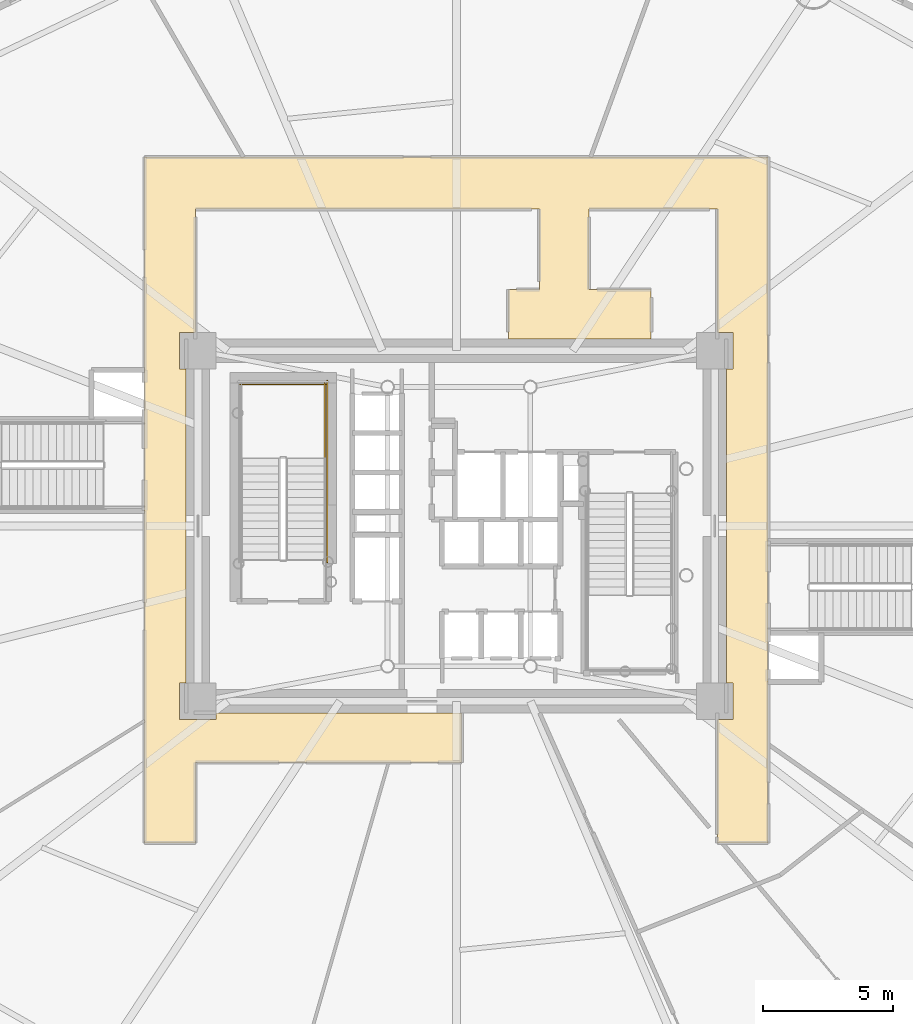
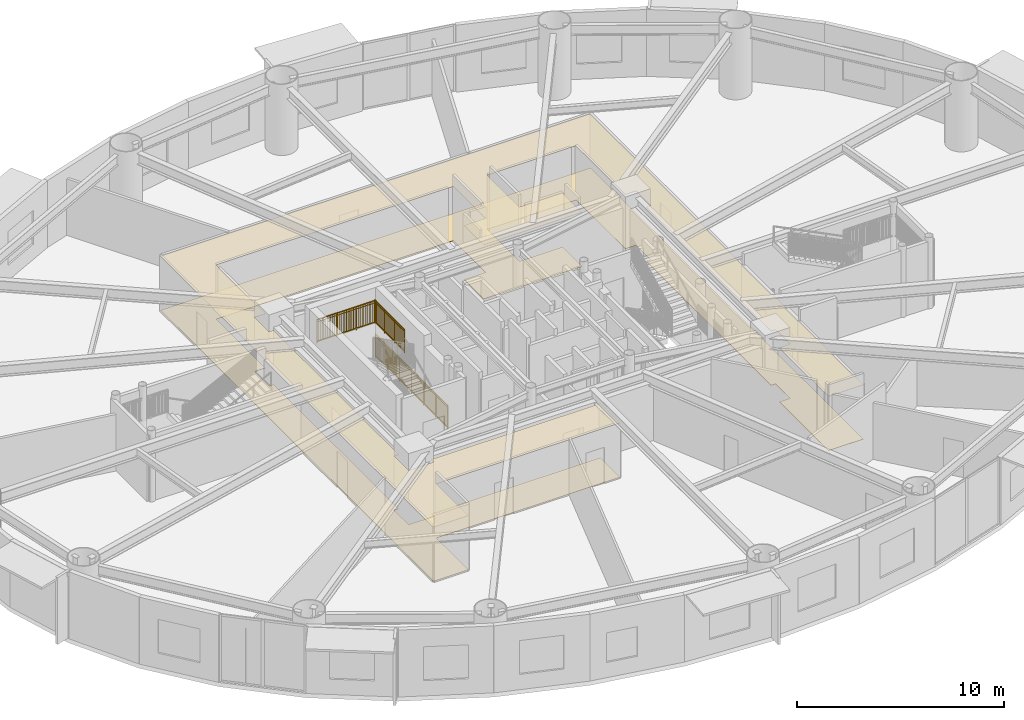
# One storey, part 22 of 28: 3 railings, 2 coverings.
"""IFC4 building model written with IfcOpenShell, lengths in metres."""

from ifc_helpers import new_model, si_unit, direction, frame, origin, origin_2d, place, context, subcontext, project, spatial, polyline, rectangle, outline, extrude, source, transform, mapped, material, layer, layer_set, type_object, element, save


model = new_model("IFC4")

# Units and contexts
model_context = context("Model", 3, precision=1e-05, world=origin(), true_north=direction((0.0, 1.0)))
body_context = subcontext(model_context, "Body", "Model", "MODEL_VIEW")
ifc_project = project(units=[si_unit("LENGTHUNIT", "METRE"), si_unit("AREAUNIT", "SQUARE_METRE"), si_unit("VOLUMEUNIT", "CUBIC_METRE"), si_unit("PLANEANGLEUNIT", "RADIAN"), si_unit("MASSUNIT", "GRAM", prefix="KILO")], contexts=[model_context])

# Site, building, storey
site_placement = place(None, origin())
site = spatial("IfcSite", under=ifc_project, at=site_placement, CompositionType="ELEMENT")
building_placement = place(site_placement, origin())
building = spatial("IfcBuilding", under=site, at=building_placement, Name="Linh Dai School and Residence Tower", CompositionType="ELEMENT")
storey_placement = place(building_placement, frame((0.0, 0.0, 36.60009765625)))
storey = spatial("IfcBuildingStorey", under=building, at=storey_placement, Name="L08", CompositionType="ELEMENT", Elevation=36.60009765625)

# Coverings
ifc_material_1 = material(Name="Mineral Fibre Acoustic Suspended Ceiling", Category="masonry")
ifc_layer_1 = layer(ifc_material_1, 0.02001953125)
ifc_layer_set_1 = layer_set([ifc_layer_1], Name="Mineral Fibre Acoustic Suspended Ceiling")
covering_type_1 = type_object("IfcCoveringType", Name="COV-CEIL-AC-20", PredefinedType="CEILING", material=ifc_layer_set_1)
covering_1_placement = place(storey_placement, frame((0.0, 0.0, 3.199951171875)))
element("IfcCovering", 1, at=covering_1_placement, inside=storey, type_object=covering_type_1, Name="L08 School Circulation Ring Corridor Suspended Ceiling", PredefinedType="CEILING", context=body_context, shape_type="SweptSolid", body=[
    extrude(outline(polyline([(24.0, 41.199951171875), (48.0, 41.199951171875), (48.0, 14.800048828125), (46.050048828125, 14.800048828125), (46.050048828125, 19.550048828125), (46.64990234375, 19.550048828125), (46.64990234375, 20.949951171875), (46.39990234375, 20.949951171875), (46.39990234375, 33.050048828125), (46.64990234375, 33.050048828125), (46.64990234375, 34.449951171875), (46.050048828125, 34.449951171875), (46.050048828125, 39.199951171875), (41.10009765625, 39.199951171875), (41.10009765625, 36.10009765625), (43.5, 36.10009765625), (43.5, 34.199951171875), (38.0, 34.199951171875), (38.0, 36.10009765625), (39.199951171875, 36.10009765625), (39.199951171875, 39.199951171875), (25.949951171875, 39.199951171875), (25.949951171875, 34.449951171875), (25.35009765625, 34.449951171875), (25.35009765625, 33.050048828125), (25.60009765625, 33.050048828125), (25.60009765625, 20.949951171875), (25.35009765625, 20.949951171875), (25.35009765625, 19.550048828125), (26.75, 19.550048828125), (26.75, 19.800048828125), (36.199951171875, 19.800048828125), (36.199951171875, 17.89990234375), (25.949951171875, 17.89990234375), (25.949951171875, 14.800048828125), (24.0, 14.800048828125), (24.0, 41.199951171875)])), origin(), (0.0, 0.0, 1.0), 0.02001953125),
])
ifc_material_2 = material(Name="Polished Terrazzo Floor Finish", Category="masonry")
ifc_layer_2 = layer(ifc_material_2, 0.02490234375)
ifc_layer_set_2 = layer_set([ifc_layer_2], Name="Polished Terrazzo Floor Finish")
covering_type_2 = type_object("IfcCoveringType", Name="COV-FLR-TRZ-25", PredefinedType="FLOORING", material=ifc_layer_set_2)
covering_2_placement = place(storey_placement, origin())
element("IfcCovering", 2, at=covering_2_placement, inside=storey, type_object=covering_type_2, Name="L08 School Circulation Ring Corridor Floor Finish", PredefinedType="FLOORING", context=body_context, shape_type="SweptSolid", body=[
    extrude(outline(polyline([(24.0, 41.199951171875), (48.0, 41.199951171875), (48.0, 14.800048828125), (46.050048828125, 14.800048828125), (46.050048828125, 19.550048828125), (46.64990234375, 19.550048828125), (46.64990234375, 20.949951171875), (46.39990234375, 20.949951171875), (46.39990234375, 33.050048828125), (46.64990234375, 33.050048828125), (46.64990234375, 34.449951171875), (46.050048828125, 34.449951171875), (46.050048828125, 39.199951171875), (41.10009765625, 39.199951171875), (41.10009765625, 36.10009765625), (43.5, 36.10009765625), (43.5, 34.199951171875), (38.0, 34.199951171875), (38.0, 36.10009765625), (39.199951171875, 36.10009765625), (39.199951171875, 39.199951171875), (25.949951171875, 39.199951171875), (25.949951171875, 34.449951171875), (25.35009765625, 34.449951171875), (25.35009765625, 33.050048828125), (25.60009765625, 33.050048828125), (25.60009765625, 20.949951171875), (25.35009765625, 20.949951171875), (25.35009765625, 19.550048828125), (26.75, 19.550048828125), (26.75, 19.800048828125), (36.199951171875, 19.800048828125), (36.199951171875, 17.89990234375), (25.949951171875, 17.89990234375), (25.949951171875, 14.800048828125), (24.0, 14.800048828125), (24.0, 41.199951171875)])), origin(), (0.0, 0.0, 1.0), 0.02001953125),
])

# Railings
ifc_material_3 = material(Name="Structural Steel S355JR", Category="steel")
railing_type = type_object("IfcRailingType", Name="RL-ST-GUARD-1400", PredefinedType="GUARDRAIL", material=ifc_material_3)
shared_shape_1 = source(origin(), body_context, "Body", "SweptSolid", [
    extrude(rectangle(XDim=0.048095703125, YDim=0.048095703125, at=origin_2d()), frame((0.0, 0.0, 1.3759765625), z_axis=(-1.0, 0.0, 0.0), x_axis=(0.0, -1.0, 0.0)), (0.0, 0.0, 1.0), 3.300048828125),
    extrude(rectangle(XDim=0.048095703125, YDim=0.048095703125, at=origin_2d()), frame((0.0, 0.0, 0.10009765625), z_axis=(-1.0, 0.0, 0.0), x_axis=(0.0, -1.0, 0.0)), (0.0, 0.0, 1.0), 3.300048828125),
    extrude(rectangle(XDim=0.030029296875, YDim=0.030029296875, at=origin_2d()), frame((0.0, 0.0, 1.239990234375), z_axis=(-1.0, 0.0, 0.0), x_axis=(0.0, -1.0, 0.0)), (0.0, 0.0, 1.0), 3.300048828125),
    extrude(rectangle(XDim=0.02001953125, YDim=0.02001953125, at=origin_2d()), frame((-0.09716796875, 0.0, 0.10009765625)), (0.0, 0.0, 1.0), 1.251708984375),
    extrude(rectangle(XDim=0.02001953125, YDim=0.02001953125, at=origin_2d()), frame((-0.194091796875, 0.0, 0.10009765625)), (0.0, 0.0, 1.0), 1.251708984375),
    extrude(rectangle(XDim=0.02001953125, YDim=0.02001953125, at=origin_2d()), frame((-0.291259765625, 0.0, 0.10009765625)), (0.0, 0.0, 1.0), 1.251708984375),
    extrude(rectangle(XDim=0.02001953125, YDim=0.02001953125, at=origin_2d()), frame((-0.38818359375, 0.0, 0.10009765625)), (0.0, 0.0, 1.0), 1.251708984375),
    extrude(rectangle(XDim=0.02001953125, YDim=0.02001953125, at=origin_2d()), frame((-0.4853515625, 0.0, 0.10009765625)), (0.0, 0.0, 1.0), 1.251708984375),
    extrude(rectangle(XDim=0.02001953125, YDim=0.02001953125, at=origin_2d()), frame((-0.582275390625, 0.0, 0.10009765625)), (0.0, 0.0, 1.0), 1.251708984375),
    extrude(rectangle(XDim=0.02001953125, YDim=0.02001953125, at=origin_2d()), frame((-0.679443359375, 0.0, 0.10009765625)), (0.0, 0.0, 1.0), 1.251708984375),
    extrude(rectangle(XDim=0.02001953125, YDim=0.02001953125, at=origin_2d()), frame((-0.7763671875, 0.0, 0.10009765625)), (0.0, 0.0, 1.0), 1.251708984375),
    extrude(rectangle(XDim=0.02001953125, YDim=0.02001953125, at=origin_2d()), frame((-0.87353515625, 0.0, 0.10009765625)), (0.0, 0.0, 1.0), 1.251708984375),
    extrude(rectangle(XDim=0.02001953125, YDim=0.02001953125, at=origin_2d()), frame((-0.970703125, 0.0, 0.10009765625)), (0.0, 0.0, 1.0), 1.251708984375),
    extrude(rectangle(XDim=0.02001953125, YDim=0.02001953125, at=origin_2d()), frame((-1.164794921875, 0.0, 0.10009765625)), (0.0, 0.0, 1.0), 1.251708984375),
    extrude(rectangle(XDim=0.02001953125, YDim=0.02001953125, at=origin_2d()), frame((-1.26171875, 0.0, 0.10009765625)), (0.0, 0.0, 1.0), 1.251708984375),
    extrude(rectangle(XDim=0.02001953125, YDim=0.02001953125, at=origin_2d()), frame((-1.35888671875, 0.0, 0.10009765625)), (0.0, 0.0, 1.0), 1.251708984375),
    extrude(rectangle(XDim=0.02001953125, YDim=0.02001953125, at=origin_2d()), frame((-1.455810546875, 0.0, 0.10009765625)), (0.0, 0.0, 1.0), 1.251708984375),
    extrude(rectangle(XDim=0.02001953125, YDim=0.02001953125, at=origin_2d()), frame((-1.552978515625, 0.0, 0.10009765625)), (0.0, 0.0, 1.0), 1.251708984375),
    extrude(rectangle(XDim=0.02001953125, YDim=0.02001953125, at=origin_2d()), frame((-1.64990234375, 0.0, 0.10009765625)), (0.0, 0.0, 1.0), 1.251708984375),
    extrude(rectangle(XDim=0.02001953125, YDim=0.02001953125, at=origin_2d()), frame((-1.7470703125, 0.0, 0.10009765625)), (0.0, 0.0, 1.0), 1.251708984375),
    extrude(rectangle(XDim=0.02001953125, YDim=0.02001953125, at=origin_2d()), frame((-1.84423828125, 0.0, 0.10009765625)), (0.0, 0.0, 1.0), 1.251708984375),
    extrude(rectangle(XDim=0.02001953125, YDim=0.02001953125, at=origin_2d()), frame((-1.941162109375, 0.0, 0.10009765625)), (0.0, 0.0, 1.0), 1.251708984375),
    extrude(rectangle(XDim=0.02001953125, YDim=0.02001953125, at=origin_2d()), frame((-2.038330078125, 0.0, 0.10009765625)), (0.0, 0.0, 1.0), 1.251708984375),
    extrude(rectangle(XDim=0.02001953125, YDim=0.02001953125, at=origin_2d()), frame((-2.13525390625, 0.0, 0.10009765625)), (0.0, 0.0, 1.0), 1.251708984375),
    extrude(rectangle(XDim=0.02001953125, YDim=0.02001953125, at=origin_2d()), frame((-2.329345703125, 0.0, 0.10009765625)), (0.0, 0.0, 1.0), 1.251708984375),
    extrude(rectangle(XDim=0.02001953125, YDim=0.02001953125, at=origin_2d()), frame((-2.426513671875, 0.0, 0.10009765625)), (0.0, 0.0, 1.0), 1.251708984375),
    extrude(rectangle(XDim=0.02001953125, YDim=0.02001953125, at=origin_2d()), frame((-2.523681640625, 0.0, 0.10009765625)), (0.0, 0.0, 1.0), 1.251708984375),
    extrude(rectangle(XDim=0.02001953125, YDim=0.02001953125, at=origin_2d()), frame((-2.62060546875, 0.0, 0.10009765625)), (0.0, 0.0, 1.0), 1.251708984375),
    extrude(rectangle(XDim=0.02001953125, YDim=0.02001953125, at=origin_2d()), frame((-2.7177734375, 0.0, 0.10009765625)), (0.0, 0.0, 1.0), 1.251708984375),
    extrude(rectangle(XDim=0.02001953125, YDim=0.02001953125, at=origin_2d()), frame((-2.814697265625, 0.0, 0.10009765625)), (0.0, 0.0, 1.0), 1.251708984375),
    extrude(rectangle(XDim=0.02001953125, YDim=0.02001953125, at=origin_2d()), frame((-2.911865234375, 0.0, 0.10009765625)), (0.0, 0.0, 1.0), 1.251708984375),
    extrude(rectangle(XDim=0.02001953125, YDim=0.02001953125, at=origin_2d()), frame((-3.0087890625, 0.0, 0.10009765625)), (0.0, 0.0, 1.0), 1.251708984375),
    extrude(rectangle(XDim=0.02001953125, YDim=0.02001953125, at=origin_2d()), frame((-3.10595703125, 0.0, 0.10009765625)), (0.0, 0.0, 1.0), 1.251708984375),
    extrude(rectangle(XDim=0.02001953125, YDim=0.02001953125, at=origin_2d()), frame((-3.202880859375, 0.0, 0.10009765625)), (0.0, 0.0, 1.0), 1.251708984375),
    extrude(rectangle(XDim=0.0419921875, YDim=0.0419921875, at=origin_2d()), origin(), (0.0, 0.0, 1.0), 1.3759765625),
    extrude(rectangle(XDim=0.0419921875, YDim=0.0419921875, at=origin_2d()), frame((-1.10009765625, 0.0, 0.0)), (0.0, 0.0, 1.0), 1.3759765625),
    extrude(rectangle(XDim=0.0419921875, YDim=0.0419921875, at=origin_2d()), frame((-2.199951171875, 0.0, 0.0)), (0.0, 0.0, 1.0), 1.3759765625),
    extrude(rectangle(XDim=0.0419921875, YDim=0.0419921875, at=origin_2d()), frame((-3.300048828125, 0.0, 0.0)), (0.0, 0.0, 1.0), 1.3759765625),
])
railing_1_placement = place(storey_placement, frame((30.97998046875, 32.449951171875, 2.099853515625)))
element("IfcRailing", 3, at=railing_1_placement, inside=storey, type_object=railing_type, Name="L08 ST1 stair guard 5", PredefinedType="GUARDRAIL", context=body_context, shape_type="MappedRepresentation", body=[
    mapped(shared_shape_1, transform((0.0, 0.0, 0.0), x_axis=(1.0, 0.0, 0.0), y_axis=(0.0, 1.0, 0.0), z_axis=(0.0, 0.0, 1.0), scale=1.0)),
])
shared_shape_2 = source(origin(), body_context, "Body", "SweptSolid", [
    extrude(rectangle(XDim=0.048095703125, YDim=0.048095703125, at=origin_2d()), frame((0.0, 0.0, 1.3759765625), z_axis=(0.0, 1.0, 0.0), x_axis=(-1.0, 0.0, 0.0)), (0.0, 0.0, 1.0), 7.0),
    extrude(rectangle(XDim=0.048095703125, YDim=0.048095703125, at=origin_2d()), frame((0.0, 0.0, 0.10009765625), z_axis=(0.0, 1.0, 0.0), x_axis=(-1.0, 0.0, 0.0)), (0.0, 0.0, 1.0), 7.0),
    extrude(rectangle(XDim=0.030029296875, YDim=0.030029296875, at=origin_2d()), frame((0.0, 0.0, 1.239990234375), z_axis=(0.0, 1.0, 0.0), x_axis=(-1.0, 0.0, 0.0)), (0.0, 0.0, 1.0), 7.0),
    extrude(rectangle(XDim=0.02001953125, YDim=0.02001953125, at=origin_2d()), frame((0.0, 0.09716796875, 0.10009765625)), (0.0, 0.0, 1.0), 1.251708984375),
    extrude(rectangle(XDim=0.02001953125, YDim=0.02001953125, at=origin_2d()), frame((0.0, 0.1943359375, 0.10009765625)), (0.0, 0.0, 1.0), 1.251708984375),
    extrude(rectangle(XDim=0.02001953125, YDim=0.02001953125, at=origin_2d()), frame((0.0, 0.291748046875, 0.10009765625)), (0.0, 0.0, 1.0), 1.251708984375),
    extrude(rectangle(XDim=0.02001953125, YDim=0.02001953125, at=origin_2d()), frame((0.0, 0.388916015625, 0.10009765625)), (0.0, 0.0, 1.0), 1.251708984375),
    extrude(rectangle(XDim=0.02001953125, YDim=0.02001953125, at=origin_2d()), frame((0.0, 0.486083984375, 0.10009765625)), (0.0, 0.0, 1.0), 1.251708984375),
    extrude(rectangle(XDim=0.02001953125, YDim=0.02001953125, at=origin_2d()), frame((0.0, 0.583251953125, 0.10009765625)), (0.0, 0.0, 1.0), 1.251708984375),
    extrude(rectangle(XDim=0.02001953125, YDim=0.02001953125, at=origin_2d()), frame((0.0, 0.6806640625, 0.10009765625)), (0.0, 0.0, 1.0), 1.251708984375),
    extrude(rectangle(XDim=0.02001953125, YDim=0.02001953125, at=origin_2d()), frame((0.0, 0.77783203125, 0.10009765625)), (0.0, 0.0, 1.0), 1.251708984375),
    extrude(rectangle(XDim=0.02001953125, YDim=0.02001953125, at=origin_2d()), frame((0.0, 0.875, 0.10009765625)), (0.0, 0.0, 1.0), 1.251708984375),
    extrude(rectangle(XDim=0.02001953125, YDim=0.02001953125, at=origin_2d()), frame((0.0, 0.97216796875, 0.10009765625)), (0.0, 0.0, 1.0), 1.251708984375),
    extrude(rectangle(XDim=0.02001953125, YDim=0.02001953125, at=origin_2d()), frame((0.0, 1.0693359375, 0.10009765625)), (0.0, 0.0, 1.0), 1.251708984375),
    extrude(rectangle(XDim=0.02001953125, YDim=0.02001953125, at=origin_2d()), frame((0.0, 1.263916015625, 0.10009765625)), (0.0, 0.0, 1.0), 1.251708984375),
    extrude(rectangle(XDim=0.02001953125, YDim=0.02001953125, at=origin_2d()), frame((0.0, 1.361083984375, 0.10009765625)), (0.0, 0.0, 1.0), 1.251708984375),
    extrude(rectangle(XDim=0.02001953125, YDim=0.02001953125, at=origin_2d()), frame((0.0, 1.458251953125, 0.10009765625)), (0.0, 0.0, 1.0), 1.251708984375),
    extrude(rectangle(XDim=0.02001953125, YDim=0.02001953125, at=origin_2d()), frame((0.0, 1.5556640625, 0.10009765625)), (0.0, 0.0, 1.0), 1.251708984375),
    extrude(rectangle(XDim=0.02001953125, YDim=0.02001953125, at=origin_2d()), frame((0.0, 1.65283203125, 0.10009765625)), (0.0, 0.0, 1.0), 1.251708984375),
    extrude(rectangle(XDim=0.02001953125, YDim=0.02001953125, at=origin_2d()), frame((0.0, 1.75, 0.10009765625)), (0.0, 0.0, 1.0), 1.251708984375),
    extrude(rectangle(XDim=0.02001953125, YDim=0.02001953125, at=origin_2d()), frame((0.0, 1.84716796875, 0.10009765625)), (0.0, 0.0, 1.0), 1.251708984375),
    extrude(rectangle(XDim=0.02001953125, YDim=0.02001953125, at=origin_2d()), frame((0.0, 1.9443359375, 0.10009765625)), (0.0, 0.0, 1.0), 1.251708984375),
    extrude(rectangle(XDim=0.02001953125, YDim=0.02001953125, at=origin_2d()), frame((0.0, 2.041748046875, 0.10009765625)), (0.0, 0.0, 1.0), 1.251708984375),
    extrude(rectangle(XDim=0.02001953125, YDim=0.02001953125, at=origin_2d()), frame((0.0, 2.138916015625, 0.10009765625)), (0.0, 0.0, 1.0), 1.251708984375),
    extrude(rectangle(XDim=0.02001953125, YDim=0.02001953125, at=origin_2d()), frame((0.0, 2.236083984375, 0.10009765625)), (0.0, 0.0, 1.0), 1.251708984375),
    extrude(rectangle(XDim=0.02001953125, YDim=0.02001953125, at=origin_2d()), frame((0.0, 2.4306640625, 0.10009765625)), (0.0, 0.0, 1.0), 1.251708984375),
    extrude(rectangle(XDim=0.02001953125, YDim=0.02001953125, at=origin_2d()), frame((0.0, 2.52783203125, 0.10009765625)), (0.0, 0.0, 1.0), 1.251708984375),
    extrude(rectangle(XDim=0.02001953125, YDim=0.02001953125, at=origin_2d()), frame((0.0, 2.625, 0.10009765625)), (0.0, 0.0, 1.0), 1.251708984375),
    extrude(rectangle(XDim=0.02001953125, YDim=0.02001953125, at=origin_2d()), frame((0.0, 2.72216796875, 0.10009765625)), (0.0, 0.0, 1.0), 1.251708984375),
    extrude(rectangle(XDim=0.02001953125, YDim=0.02001953125, at=origin_2d()), frame((0.0, 2.8193359375, 0.10009765625)), (0.0, 0.0, 1.0), 1.251708984375),
    extrude(rectangle(XDim=0.02001953125, YDim=0.02001953125, at=origin_2d()), frame((0.0, 2.916748046875, 0.10009765625)), (0.0, 0.0, 1.0), 1.251708984375),
    extrude(rectangle(XDim=0.02001953125, YDim=0.02001953125, at=origin_2d()), frame((0.0, 3.013916015625, 0.10009765625)), (0.0, 0.0, 1.0), 1.251708984375),
    extrude(rectangle(XDim=0.02001953125, YDim=0.02001953125, at=origin_2d()), frame((0.0, 3.111083984375, 0.10009765625)), (0.0, 0.0, 1.0), 1.251708984375),
    extrude(rectangle(XDim=0.02001953125, YDim=0.02001953125, at=origin_2d()), frame((0.0, 3.208251953125, 0.10009765625)), (0.0, 0.0, 1.0), 1.251708984375),
    extrude(rectangle(XDim=0.02001953125, YDim=0.02001953125, at=origin_2d()), frame((0.0, 3.3056640625, 0.10009765625)), (0.0, 0.0, 1.0), 1.251708984375),
    extrude(rectangle(XDim=0.02001953125, YDim=0.02001953125, at=origin_2d()), frame((0.0, 3.40283203125, 0.10009765625)), (0.0, 0.0, 1.0), 1.251708984375),
    extrude(rectangle(XDim=0.02001953125, YDim=0.02001953125, at=origin_2d()), frame((0.0, 3.59716796875, 0.10009765625)), (0.0, 0.0, 1.0), 1.251708984375),
    extrude(rectangle(XDim=0.02001953125, YDim=0.02001953125, at=origin_2d()), frame((0.0, 3.6943359375, 0.10009765625)), (0.0, 0.0, 1.0), 1.251708984375),
    extrude(rectangle(XDim=0.02001953125, YDim=0.02001953125, at=origin_2d()), frame((0.0, 3.791748046875, 0.10009765625)), (0.0, 0.0, 1.0), 1.251708984375),
    extrude(rectangle(XDim=0.02001953125, YDim=0.02001953125, at=origin_2d()), frame((0.0, 3.888916015625, 0.10009765625)), (0.0, 0.0, 1.0), 1.251708984375),
    extrude(rectangle(XDim=0.02001953125, YDim=0.02001953125, at=origin_2d()), frame((0.0, 3.986083984375, 0.10009765625)), (0.0, 0.0, 1.0), 1.251708984375),
    extrude(rectangle(XDim=0.02001953125, YDim=0.02001953125, at=origin_2d()), frame((0.0, 4.083251953125, 0.10009765625)), (0.0, 0.0, 1.0), 1.251708984375),
    extrude(rectangle(XDim=0.02001953125, YDim=0.02001953125, at=origin_2d()), frame((0.0, 4.1806640625, 0.10009765625)), (0.0, 0.0, 1.0), 1.251708984375),
    extrude(rectangle(XDim=0.02001953125, YDim=0.02001953125, at=origin_2d()), frame((0.0, 4.27783203125, 0.10009765625)), (0.0, 0.0, 1.0), 1.251708984375),
    extrude(rectangle(XDim=0.02001953125, YDim=0.02001953125, at=origin_2d()), frame((0.0, 4.375, 0.10009765625)), (0.0, 0.0, 1.0), 1.251708984375),
    extrude(rectangle(XDim=0.02001953125, YDim=0.02001953125, at=origin_2d()), frame((0.0, 4.47216796875, 0.10009765625)), (0.0, 0.0, 1.0), 1.251708984375),
    extrude(rectangle(XDim=0.02001953125, YDim=0.02001953125, at=origin_2d()), frame((0.0, 4.5693359375, 0.10009765625)), (0.0, 0.0, 1.0), 1.251708984375),
    extrude(rectangle(XDim=0.02001953125, YDim=0.02001953125, at=origin_2d()), frame((0.0, 4.763916015625, 0.10009765625)), (0.0, 0.0, 1.0), 1.251708984375),
    extrude(rectangle(XDim=0.02001953125, YDim=0.02001953125, at=origin_2d()), frame((0.0, 4.861083984375, 0.10009765625)), (0.0, 0.0, 1.0), 1.251708984375),
    extrude(rectangle(XDim=0.02001953125, YDim=0.02001953125, at=origin_2d()), frame((0.0, 4.958251953125, 0.10009765625)), (0.0, 0.0, 1.0), 1.251708984375),
    extrude(rectangle(XDim=0.02001953125, YDim=0.02001953125, at=origin_2d()), frame((0.0, 5.0556640625, 0.10009765625)), (0.0, 0.0, 1.0), 1.251708984375),
    extrude(rectangle(XDim=0.02001953125, YDim=0.02001953125, at=origin_2d()), frame((0.0, 5.15283203125, 0.10009765625)), (0.0, 0.0, 1.0), 1.251708984375),
    extrude(rectangle(XDim=0.02001953125, YDim=0.02001953125, at=origin_2d()), frame((0.0, 5.25, 0.10009765625)), (0.0, 0.0, 1.0), 1.251708984375),
    extrude(rectangle(XDim=0.02001953125, YDim=0.02001953125, at=origin_2d()), frame((0.0, 5.34716796875, 0.10009765625)), (0.0, 0.0, 1.0), 1.251708984375),
    extrude(rectangle(XDim=0.02001953125, YDim=0.02001953125, at=origin_2d()), frame((0.0, 5.4443359375, 0.10009765625)), (0.0, 0.0, 1.0), 1.251708984375),
    extrude(rectangle(XDim=0.02001953125, YDim=0.02001953125, at=origin_2d()), frame((0.0, 5.541748046875, 0.10009765625)), (0.0, 0.0, 1.0), 1.251708984375),
    extrude(rectangle(XDim=0.02001953125, YDim=0.02001953125, at=origin_2d()), frame((0.0, 5.638916015625, 0.10009765625)), (0.0, 0.0, 1.0), 1.251708984375),
    extrude(rectangle(XDim=0.02001953125, YDim=0.02001953125, at=origin_2d()), frame((0.0, 5.736083984375, 0.10009765625)), (0.0, 0.0, 1.0), 1.251708984375),
    extrude(rectangle(XDim=0.02001953125, YDim=0.02001953125, at=origin_2d()), frame((0.0, 5.9306640625, 0.10009765625)), (0.0, 0.0, 1.0), 1.251708984375),
    extrude(rectangle(XDim=0.02001953125, YDim=0.02001953125, at=origin_2d()), frame((0.0, 6.02783203125, 0.10009765625)), (0.0, 0.0, 1.0), 1.251708984375),
    extrude(rectangle(XDim=0.02001953125, YDim=0.02001953125, at=origin_2d()), frame((0.0, 6.125, 0.10009765625)), (0.0, 0.0, 1.0), 1.251708984375),
    extrude(rectangle(XDim=0.02001953125, YDim=0.02001953125, at=origin_2d()), frame((0.0, 6.22216796875, 0.10009765625)), (0.0, 0.0, 1.0), 1.251708984375),
    extrude(rectangle(XDim=0.02001953125, YDim=0.02001953125, at=origin_2d()), frame((0.0, 6.3193359375, 0.10009765625)), (0.0, 0.0, 1.0), 1.251708984375),
    extrude(rectangle(XDim=0.02001953125, YDim=0.02001953125, at=origin_2d()), frame((0.0, 6.416748046875, 0.10009765625)), (0.0, 0.0, 1.0), 1.251708984375),
    extrude(rectangle(XDim=0.02001953125, YDim=0.02001953125, at=origin_2d()), frame((0.0, 6.513916015625, 0.10009765625)), (0.0, 0.0, 1.0), 1.251708984375),
    extrude(rectangle(XDim=0.02001953125, YDim=0.02001953125, at=origin_2d()), frame((0.0, 6.611083984375, 0.10009765625)), (0.0, 0.0, 1.0), 1.251708984375),
    extrude(rectangle(XDim=0.02001953125, YDim=0.02001953125, at=origin_2d()), frame((0.0, 6.708251953125, 0.10009765625)), (0.0, 0.0, 1.0), 1.251708984375),
    extrude(rectangle(XDim=0.02001953125, YDim=0.02001953125, at=origin_2d()), frame((0.0, 6.8056640625, 0.10009765625)), (0.0, 0.0, 1.0), 1.251708984375),
    extrude(rectangle(XDim=0.02001953125, YDim=0.02001953125, at=origin_2d()), frame((0.0, 6.90283203125, 0.10009765625)), (0.0, 0.0, 1.0), 1.251708984375),
    extrude(rectangle(XDim=0.0419921875, YDim=0.0419921875, at=origin_2d()), origin(), (0.0, 0.0, 1.0), 1.3759765625),
    extrude(rectangle(XDim=0.0419921875, YDim=0.0419921875, at=origin_2d()), frame((0.0, 1.166748046875, 0.0)), (0.0, 0.0, 1.0), 1.3759765625),
    extrude(rectangle(XDim=0.0419921875, YDim=0.0419921875, at=origin_2d()), frame((0.0, 2.333251953125, 0.0)), (0.0, 0.0, 1.0), 1.3759765625),
    extrude(rectangle(XDim=0.0419921875, YDim=0.0419921875, at=origin_2d()), frame((0.0, 3.5, 0.0)), (0.0, 0.0, 1.0), 1.3759765625),
    extrude(rectangle(XDim=0.0419921875, YDim=0.0419921875, at=origin_2d()), frame((0.0, 4.666748046875, 0.0)), (0.0, 0.0, 1.0), 1.3759765625),
    extrude(rectangle(XDim=0.0419921875, YDim=0.0419921875, at=origin_2d()), frame((0.0, 5.833251953125, 0.0)), (0.0, 0.0, 1.0), 1.3759765625),
    extrude(rectangle(XDim=0.0419921875, YDim=0.0419921875, at=origin_2d()), frame((0.0, 7.0, 0.0)), (0.0, 0.0, 1.0), 1.3759765625),
])
railing_2_placement = place(storey_placement, frame((31.030029296875, 25.60009765625, 0.0)))
element("IfcRailing", 4, at=railing_2_placement, inside=storey, type_object=railing_type, Name="L08 ST1 stair guard 10", PredefinedType="GUARDRAIL", context=body_context, shape_type="MappedRepresentation", body=[
    mapped(shared_shape_2, transform((0.0, 0.0, 0.0), x_axis=(1.0, 0.0, 0.0), y_axis=(0.0, 1.0, 0.0), z_axis=(0.0, 0.0, 1.0), scale=1.0)),
])
shared_shape_3 = source(origin(), body_context, "Body", "SweptSolid", [
    extrude(rectangle(XDim=0.048095703125, YDim=0.048095703125, at=origin_2d()), frame((0.0, 0.0, 1.3759765625), z_axis=(0.0, 1.0, 0.0), x_axis=(-1.0, 0.0, 0.0)), (0.0, 0.0, 1.0), 2.89990234375),
    extrude(rectangle(XDim=0.048095703125, YDim=0.048095703125, at=origin_2d()), frame((0.0, 0.0, 0.10009765625), z_axis=(0.0, 1.0, 0.0), x_axis=(-1.0, 0.0, 0.0)), (0.0, 0.0, 1.0), 2.89990234375),
    extrude(rectangle(XDim=0.030029296875, YDim=0.030029296875, at=origin_2d()), frame((0.0, 0.0, 1.239990234375), z_axis=(0.0, 1.0, 0.0), x_axis=(-1.0, 0.0, 0.0)), (0.0, 0.0, 1.0), 2.89990234375),
    extrude(rectangle(XDim=0.02001953125, YDim=0.02001953125, at=origin_2d()), frame((0.0, 0.0966796875, 0.10009765625)), (0.0, 0.0, 1.0), 1.251708984375),
    extrude(rectangle(XDim=0.02001953125, YDim=0.02001953125, at=origin_2d()), frame((0.0, 0.193359375, 0.10009765625)), (0.0, 0.0, 1.0), 1.251708984375),
    extrude(rectangle(XDim=0.02001953125, YDim=0.02001953125, at=origin_2d()), frame((0.0, 0.2900390625, 0.10009765625)), (0.0, 0.0, 1.0), 1.251708984375),
    extrude(rectangle(XDim=0.02001953125, YDim=0.02001953125, at=origin_2d()), frame((0.0, 0.38671875, 0.10009765625)), (0.0, 0.0, 1.0), 1.251708984375),
    extrude(rectangle(XDim=0.02001953125, YDim=0.02001953125, at=origin_2d()), frame((0.0, 0.4833984375, 0.10009765625)), (0.0, 0.0, 1.0), 1.251708984375),
    extrude(rectangle(XDim=0.02001953125, YDim=0.02001953125, at=origin_2d()), frame((0.0, 0.580078125, 0.10009765625)), (0.0, 0.0, 1.0), 1.251708984375),
    extrude(rectangle(XDim=0.02001953125, YDim=0.02001953125, at=origin_2d()), frame((0.0, 0.6767578125, 0.10009765625)), (0.0, 0.0, 1.0), 1.251708984375),
    extrude(rectangle(XDim=0.02001953125, YDim=0.02001953125, at=origin_2d()), frame((0.0, 0.773193359375, 0.10009765625)), (0.0, 0.0, 1.0), 1.251708984375),
    extrude(rectangle(XDim=0.02001953125, YDim=0.02001953125, at=origin_2d()), frame((0.0, 0.869873046875, 0.10009765625)), (0.0, 0.0, 1.0), 1.251708984375),
    extrude(rectangle(XDim=0.02001953125, YDim=0.02001953125, at=origin_2d()), frame((0.0, 1.063232421875, 0.10009765625)), (0.0, 0.0, 1.0), 1.251708984375),
    extrude(rectangle(XDim=0.02001953125, YDim=0.02001953125, at=origin_2d()), frame((0.0, 1.159912109375, 0.10009765625)), (0.0, 0.0, 1.0), 1.251708984375),
    extrude(rectangle(XDim=0.02001953125, YDim=0.02001953125, at=origin_2d()), frame((0.0, 1.256591796875, 0.10009765625)), (0.0, 0.0, 1.0), 1.251708984375),
    extrude(rectangle(XDim=0.02001953125, YDim=0.02001953125, at=origin_2d()), frame((0.0, 1.353271484375, 0.10009765625)), (0.0, 0.0, 1.0), 1.251708984375),
    extrude(rectangle(XDim=0.02001953125, YDim=0.02001953125, at=origin_2d()), frame((0.0, 1.449951171875, 0.10009765625)), (0.0, 0.0, 1.0), 1.251708984375),
    extrude(rectangle(XDim=0.02001953125, YDim=0.02001953125, at=origin_2d()), frame((0.0, 1.546630859375, 0.10009765625)), (0.0, 0.0, 1.0), 1.251708984375),
    extrude(rectangle(XDim=0.02001953125, YDim=0.02001953125, at=origin_2d()), frame((0.0, 1.643310546875, 0.10009765625)), (0.0, 0.0, 1.0), 1.251708984375),
    extrude(rectangle(XDim=0.02001953125, YDim=0.02001953125, at=origin_2d()), frame((0.0, 1.739990234375, 0.10009765625)), (0.0, 0.0, 1.0), 1.251708984375),
    extrude(rectangle(XDim=0.02001953125, YDim=0.02001953125, at=origin_2d()), frame((0.0, 1.836669921875, 0.10009765625)), (0.0, 0.0, 1.0), 1.251708984375),
    extrude(rectangle(XDim=0.02001953125, YDim=0.02001953125, at=origin_2d()), frame((0.0, 2.030029296875, 0.10009765625)), (0.0, 0.0, 1.0), 1.251708984375),
    extrude(rectangle(XDim=0.02001953125, YDim=0.02001953125, at=origin_2d()), frame((0.0, 2.126708984375, 0.10009765625)), (0.0, 0.0, 1.0), 1.251708984375),
    extrude(rectangle(XDim=0.02001953125, YDim=0.02001953125, at=origin_2d()), frame((0.0, 2.22314453125, 0.10009765625)), (0.0, 0.0, 1.0), 1.251708984375),
    extrude(rectangle(XDim=0.02001953125, YDim=0.02001953125, at=origin_2d()), frame((0.0, 2.31982421875, 0.10009765625)), (0.0, 0.0, 1.0), 1.251708984375),
    extrude(rectangle(XDim=0.02001953125, YDim=0.02001953125, at=origin_2d()), frame((0.0, 2.41650390625, 0.10009765625)), (0.0, 0.0, 1.0), 1.251708984375),
    extrude(rectangle(XDim=0.02001953125, YDim=0.02001953125, at=origin_2d()), frame((0.0, 2.51318359375, 0.10009765625)), (0.0, 0.0, 1.0), 1.251708984375),
    extrude(rectangle(XDim=0.02001953125, YDim=0.02001953125, at=origin_2d()), frame((0.0, 2.60986328125, 0.10009765625)), (0.0, 0.0, 1.0), 1.251708984375),
    extrude(rectangle(XDim=0.02001953125, YDim=0.02001953125, at=origin_2d()), frame((0.0, 2.70654296875, 0.10009765625)), (0.0, 0.0, 1.0), 1.251708984375),
    extrude(rectangle(XDim=0.02001953125, YDim=0.02001953125, at=origin_2d()), frame((0.0, 2.80322265625, 0.10009765625)), (0.0, 0.0, 1.0), 1.251708984375),
    extrude(rectangle(XDim=0.0419921875, YDim=0.0419921875, at=origin_2d()), origin(), (0.0, 0.0, 1.0), 1.3759765625),
    extrude(rectangle(XDim=0.0419921875, YDim=0.0419921875, at=origin_2d()), frame((0.0, 0.966552734375, 0.0)), (0.0, 0.0, 1.0), 1.3759765625),
    extrude(rectangle(XDim=0.0419921875, YDim=0.0419921875, at=origin_2d()), frame((0.0, 1.933349609375, 0.0)), (0.0, 0.0, 1.0), 1.3759765625),
    extrude(rectangle(XDim=0.0419921875, YDim=0.0419921875, at=origin_2d()), frame((0.0, 2.89990234375, 0.0)), (0.0, 0.0, 1.0), 1.3759765625),
])
railing_3_placement = place(storey_placement, frame((30.929931640625, 29.60009765625, 2.099853515625)))
element("IfcRailing", 5, at=railing_3_placement, inside=storey, type_object=railing_type, Name="L08 ST1 stair guard 3", PredefinedType="GUARDRAIL", context=body_context, shape_type="MappedRepresentation", body=[
    mapped(shared_shape_3, transform((0.0, 0.0, 0.0), x_axis=(1.0, 0.0, 0.0), y_axis=(0.0, 1.0, 0.0), z_axis=(0.0, 0.0, 1.0), scale=1.0)),
])

save(model, "model.ifc")
